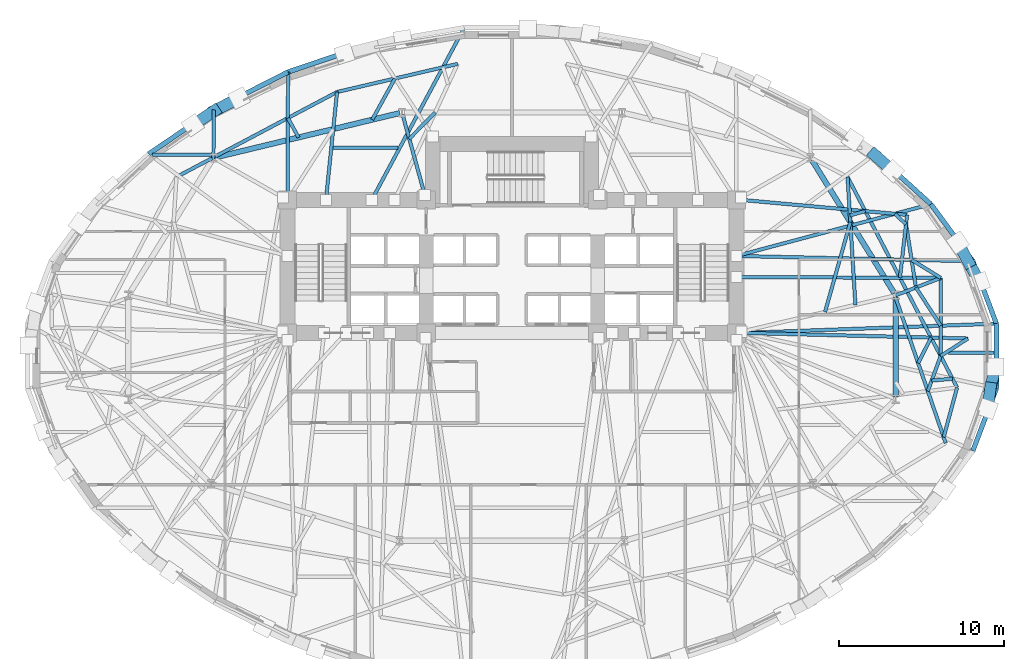
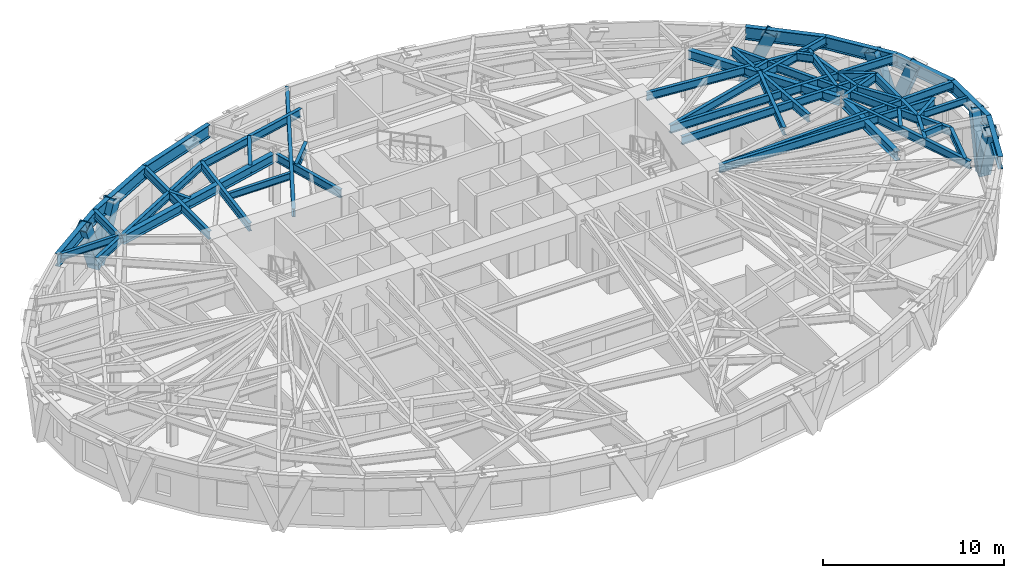
# One storey, part 4 of 14: 47 beams, 7 members.
"""IFC4 building model written with IfcOpenShell, lengths in metres."""

from ifc_helpers import new_model, si_unit, direction, frame, origin, origin_2d, place, context, subcontext, project, spatial, hollow_rectangle, i_section, extrude, material, material_profile, profile_set, type_object, element, save


model = new_model("IFC4")

# Units and contexts
model_context = context("Model", 3, precision=1e-05, world=origin(), true_north=direction((0.0, 1.0)))
body_context = subcontext(model_context, "Body", "Model", "MODEL_VIEW")
ifc_project = project(units=[si_unit("LENGTHUNIT", "METRE"), si_unit("AREAUNIT", "SQUARE_METRE"), si_unit("VOLUMEUNIT", "CUBIC_METRE"), si_unit("PLANEANGLEUNIT", "RADIAN"), si_unit("MASSUNIT", "GRAM", prefix="KILO")], contexts=[model_context])

# Site, building, storey
site_placement = place(None, origin())
site = spatial("IfcSite", under=ifc_project, at=site_placement, CompositionType="ELEMENT")
building_placement = place(site_placement, origin())
building = spatial("IfcBuilding", under=site, at=building_placement, Name="Keldmark Tower", CompositionType="ELEMENT")
storey_placement = place(building_placement, frame((0.0, 0.0, 59.39990234375)))
storey = spatial("IfcBuildingStorey", under=building, at=storey_placement, Name="L15", CompositionType="ELEMENT", Elevation=59.39990234375)

# Beams
ifc_material_1 = material(Name="Steel ASTM A992 Grade 50", Category="steel")
ifc_material_profile_1 = material_profile(ifc_material_1, i_section(OverallWidth=0.19091796875, OverallDepth=0.45703125, WebThickness=0.009033203125, FlangeThickness=0.014404296875, at=origin_2d()), Name="W18X50")
ifc_profile_set_1 = profile_set([ifc_material_profile_1], Name="Steel ASTM A992 Grade 50")
beam_type_1 = type_object("IfcBeamType", Name="Composite Floor Joist W18X50", PredefinedType="JOIST", material=ifc_profile_set_1)
beam_1_placement = place(storey_placement, frame((26.472412109375, 0.199951171875, 3.171630859375), z_axis=(1.0, 0.0, 0.0), x_axis=(0.0, 1.0, 0.0)))
element("IfcBeam", 1, at=beam_1_placement, inside=storey, type_object=beam_type_1, Name="L15 Composite Floor Joist J12", PredefinedType="JOIST", context=body_context, shape_type="SweptSolid", body=[
    extrude(i_section(OverallWidth=0.19091796875, OverallDepth=0.45703125, WebThickness=0.009033203125, FlangeThickness=0.014404296875, at=origin_2d()), origin(), (0.0, 0.0, 1.0), 2.751708984375),
])
beam_2_placement = place(storey_placement, frame((-21.781982421875, 12.199951171875, 3.171630859375), z_axis=(1.0, 0.0, 0.0), x_axis=(0.0, 1.0, 0.0)))
element("IfcBeam", 2, at=beam_2_placement, inside=storey, type_object=beam_type_1, Name="L15 Composite Floor Joist J15", PredefinedType="JOIST", context=body_context, shape_type="SweptSolid", body=[
    extrude(i_section(OverallWidth=0.19091796875, OverallDepth=0.45703125, WebThickness=0.009033203125, FlangeThickness=0.014404296875, at=origin_2d()), origin(), (0.0, 0.0, 1.0), 3.590087890625),
])
beam_3_placement = place(storey_placement, frame((-10.85546875, 12.6201171875, 3.171630859375), z_axis=(1.0, 0.0, 0.0), x_axis=(0.0, 1.0, 0.0)))
element("IfcBeam", 3, at=beam_3_placement, inside=storey, type_object=beam_type_1, Name="L15 Composite Floor Joist J16", PredefinedType="JOIST", context=body_context, shape_type="SweptSolid", body=[
    extrude(i_section(OverallWidth=0.19091796875, OverallDepth=0.45703125, WebThickness=0.009033203125, FlangeThickness=0.014404296875, at=origin_2d()), origin(), (0.0, 0.0, 1.0), 3.94091796875),
])

# Members
ifc_material_2 = material(Name="Steel ASTM A572 Grade 50", Category="steel")
ifc_material_profile_2 = material_profile(ifc_material_2, hollow_rectangle(XDim=0.699951171875, YDim=0.699951171875, WallThickness=0.054931640625, at=origin_2d()), Name="BOX700X700X55")
ifc_profile_set_2 = profile_set([ifc_material_profile_2], Name="Steel ASTM A572 Grade 50")
member_type = type_object("IfcMemberType", Name="Diagrid Zone 1 Brace BOX700X700X55", PredefinedType="BRACE", material=ifc_profile_set_2)
member_1_placement = place(storey_placement, frame((27.66845703125, 5.696533203125, -0.27978515625), z_axis=(0.178257638585, -0.318718528587, 0.930936471421), x_axis=(0.87276824672, 0.488134804656, 0.0)))
element("IfcMember", 4, at=member_1_placement, inside=storey, type_object=member_type, Name="L15 Perimeter Diagrid Brace 01A", PredefinedType="BRACE", context=body_context, shape_type="SweptSolid", body=[
    extrude(hollow_rectangle(XDim=0.699951171875, YDim=0.699951171875, WallThickness=0.054931640625, at=origin_2d()), origin(), (0.0, 0.0, 1.0), 3.823974609375),
])
member_2_placement = place(storey_placement, frame((27.670654296875, 5.68505859375, -0.27978515625), z_axis=(-0.168232250146, 0.313777179701, 0.934474072144), x_axis=(-0.8813193569, -0.472521101279, 0.0)))
element("IfcMember", 5, at=member_2_placement, inside=storey, type_object=member_type, Name="L15 Perimeter Diagrid Brace 01B", PredefinedType="BRACE", context=body_context, shape_type="SweptSolid", body=[
    extrude(hollow_rectangle(XDim=0.699951171875, YDim=0.699951171875, WallThickness=0.054931640625, at=origin_2d()), origin(), (0.0, 0.0, 1.0), 3.809326171875),
])
member_3_placement = place(storey_placement, frame((21.953369140625, 12.2158203125, -0.27978515625), z_axis=(0.293372462898, -0.260824582689, 0.919729925075), x_axis=(0.664433650917, 0.747347257658, 0.0)))
element("IfcMember", 6, at=member_3_placement, inside=storey, type_object=member_type, Name="L15 Perimeter Diagrid Brace 02A", PredefinedType="BRACE", context=body_context, shape_type="SweptSolid", body=[
    extrude(hollow_rectangle(XDim=0.699951171875, YDim=0.699951171875, WallThickness=0.054931640625, at=origin_2d()), origin(), (0.0, 0.0, 1.0), 3.87060546875),
])
member_4_placement = place(storey_placement, frame((-18.03173828125, 14.866455078125, -0.27978515625), z_axis=(0.378672479434, 0.195912137951, 0.904558227823), x_axis=(-0.459510002259, 0.888172594614, 0.0)))
element("IfcMember", 7, at=member_4_placement, inside=storey, type_object=member_type, Name="L15 Perimeter Diagrid Brace 06A", PredefinedType="BRACE", context=body_context, shape_type="SweptSolid", body=[
    extrude(hollow_rectangle(XDim=0.699951171875, YDim=0.699951171875, WallThickness=0.054931640625, at=origin_2d()), origin(), (0.0, 0.0, 1.0), 3.935302734375),
])
member_5_placement = place(storey_placement, frame((-18.02197265625, 14.873046875, -0.27978515625), z_axis=(-0.339507835658, -0.226818530074, 0.912845980405), x_axis=(0.555513758134, -0.831507344841, 0.0)))
element("IfcMember", 8, at=member_5_placement, inside=storey, type_object=member_type, Name="L15 Perimeter Diagrid Brace 06B", PredefinedType="BRACE", context=body_context, shape_type="SweptSolid", body=[
    extrude(hollow_rectangle(XDim=0.699951171875, YDim=0.699951171875, WallThickness=0.054931640625, at=origin_2d()), origin(), (0.0, 0.0, 1.0), 3.899658203125),
])
member_6_placement = place(storey_placement, frame((29.00048828125, -1.9228515625, -0.27978515625), z_axis=(-0.045507964239, -0.338473541384, 0.939874825162), x_axis=(0.991082244574, -0.133251583445, 0.0)))
element("IfcMember", 9, at=member_6_placement, inside=storey, type_object=member_type, Name="L15 Perimeter Diagrid Brace 16A", PredefinedType="BRACE", context=body_context, shape_type="SweptSolid", body=[
    extrude(hollow_rectangle(XDim=0.699951171875, YDim=0.699951171875, WallThickness=0.054931640625, at=origin_2d()), origin(), (0.0, 0.0, 1.0), 3.78759765625),
])
member_7_placement = place(storey_placement, frame((28.998291015625, -1.934326171875, -0.27978515625), z_axis=(0.079851814442, 0.338823721505, 0.937455158115), x_axis=(-0.973334750273, 0.229389328243, 0.0)))
element("IfcMember", 10, at=member_7_placement, inside=storey, type_object=member_type, Name="L15 Perimeter Diagrid Brace 16B", PredefinedType="BRACE", context=body_context, shape_type="SweptSolid", body=[
    extrude(hollow_rectangle(XDim=0.699951171875, YDim=0.699951171875, WallThickness=0.054931640625, at=origin_2d()), origin(), (0.0, 0.0, 1.0), 3.79736328125),
])

# Beams
ifc_material_3 = material(Name="Steel ASTM A992 Grade 50", Category="steel")
ifc_material_profile_3 = material_profile(ifc_material_3, i_section(OverallWidth=0.323974609375, OverallDepth=0.611083984375, WebThickness=0.0126953125, FlangeThickness=0.01904296875, at=origin_2d()), Name="W24X104")
ifc_profile_set_3 = profile_set([ifc_material_profile_3], Name="Steel ASTM A992 Grade 50")
beam_type_2 = type_object("IfcBeamType", Name="Primary Floor Girder W24X104", PredefinedType="BEAM", material=ifc_profile_set_3)
beam_4_placement = place(storey_placement, frame((23.180419921875, 3.796142578125, 3.094482421875), z_axis=(-0.526318405849, 0.850287560573, 0.0), x_axis=(-0.850287560573, -0.526318405849, 0.0)))
element("IfcBeam", 11, at=beam_4_placement, inside=storey, type_object=beam_type_2, Name="L15 Floor Ring Girder FG-R01", PredefinedType="BEAM", context=body_context, shape_type="SweptSolid", body=[
    extrude(i_section(OverallWidth=0.323974609375, OverallDepth=0.611083984375, WebThickness=0.0126953125, FlangeThickness=0.01904296875, at=origin_2d()), origin(), (0.0, 0.0, 1.0), 9.51708984375),
])
beam_5_placement = place(storey_placement, frame((-6.80126953125, 14.727294921875, 3.094482421875), z_axis=(-0.972218707757, -0.2340743136, 0.0), x_axis=(0.2340743136, -0.972218707757, 0.0)))
element("IfcBeam", 12, at=beam_5_placement, inside=storey, type_object=beam_type_2, Name="L15 Floor Ring Girder FG-R04", PredefinedType="BEAM", context=body_context, shape_type="SweptSolid", body=[
    extrude(i_section(OverallWidth=0.323974609375, OverallDepth=0.611083984375, WebThickness=0.0126953125, FlangeThickness=0.01904296875, at=origin_2d()), origin(), (0.0, 0.0, 1.0), 11.479248046875),
])
beam_6_placement = place(storey_placement, frame((23.25390625, -2.47314453125, 3.094482421875), z_axis=(0.0, 1.0, 0.0), x_axis=(-1.0, 0.0, 0.0)))
element("IfcBeam", 13, at=beam_6_placement, inside=storey, type_object=beam_type_2, Name="L15 Floor Ring Girder FG-R12", PredefinedType="BEAM", context=body_context, shape_type="SweptSolid", body=[
    extrude(i_section(OverallWidth=0.323974609375, OverallDepth=0.611083984375, WebThickness=0.0126953125, FlangeThickness=0.01904296875, at=origin_2d()), origin(), (0.0, 0.0, 1.0), 6.01025390625),
])
ifc_material_4 = material(Name="Steel ASTM A992 Grade 50", Category="steel")
ifc_material_profile_4 = material_profile(ifc_material_4, i_section(OverallWidth=0.2099609375, OverallDepth=0.537109375, WebThickness=0.010986328125, FlangeThickness=0.017333984375, at=origin_2d()), Name="W21X68")
ifc_profile_set_4 = profile_set([ifc_material_profile_4], Name="Steel ASTM A992 Grade 50")
beam_type_3 = type_object("IfcBeamType", Name="Radial Tie Girder W21X68", PredefinedType="BEAM", material=ifc_profile_set_4)
beam_7_placement = place(storey_placement, frame((18.974853515625, 2.66796875, 3.131591796875), z_axis=(0.270963018547, 0.962589758194, 0.0), x_axis=(-0.962589758194, 0.270963018547, 0.0)))
element("IfcBeam", 14, at=beam_7_placement, inside=storey, type_object=beam_type_3, Name="L15 Framing Pin Header PH-001", PredefinedType="BEAM", context=body_context, shape_type="SweptSolid", body=[
    extrude(i_section(OverallWidth=0.2099609375, OverallDepth=0.537109375, WebThickness=0.010986328125, FlangeThickness=0.017333984375, at=origin_2d()), origin(), (0.0, 0.0, 1.0), 5.657470703125),
])
beam_8_placement = place(storey_placement, frame((20.816162109375, 3.102294921875, 3.131591796875), z_axis=(-0.06139334626, 0.998113649358, 0.0), x_axis=(-0.998113649358, -0.06139334626, 0.0)))
element("IfcBeam", 15, at=beam_8_placement, inside=storey, type_object=beam_type_3, Name="L15 Sub-Ring Step Girder STP1-M01", PredefinedType="BEAM", context=body_context, shape_type="SweptSolid", body=[
    extrude(i_section(OverallWidth=0.2099609375, OverallDepth=0.537109375, WebThickness=0.010986328125, FlangeThickness=0.017333984375, at=origin_2d()), origin(), (0.0, 0.0, 1.0), 7.762451171875),
])
beam_9_placement = place(storey_placement, frame((-6.22509765625, 13.1650390625, 3.131591796875), z_axis=(0.6999653852, 0.7141767705, 0.0), x_axis=(-0.7141767705, 0.6999653852, 0.0)))
element("IfcBeam", 16, at=beam_9_placement, inside=storey, type_object=beam_type_3, Name="L15 Framing Pin Header PH-004", PredefinedType="BEAM", context=body_context, shape_type="SweptSolid", body=[
    extrude(i_section(OverallWidth=0.2099609375, OverallDepth=0.537109375, WebThickness=0.010986328125, FlangeThickness=0.017333984375, at=origin_2d()), origin(), (0.0, 0.0, 1.0), 2.2333984375),
])
beam_10_placement = place(storey_placement, frame((-11.278564453125, 9.449951171875, 3.131591796875), z_axis=(0.10246421602, 0.994736691007, 0.0), x_axis=(-0.994736691007, 0.10246421602, 0.0)))
element("IfcBeam", 17, at=beam_10_placement, inside=storey, type_object=beam_type_3, Name="L15 Sub-Ring Step Girder STP1-M05", PredefinedType="BEAM", context=body_context, shape_type="SweptSolid", body=[
    extrude(i_section(OverallWidth=0.2099609375, OverallDepth=0.537109375, WebThickness=0.010986328125, FlangeThickness=0.017333984375, at=origin_2d()), origin(), (0.0, 0.0, 1.0), 6.588134765625),
])
beam_11_placement = place(storey_placement, frame((-3.29736328125, 17.705810546875, 3.131591796875), z_axis=(-0.973911258142, -0.226929198791, 0.0), x_axis=(0.226929198791, -0.973911258142, 0.0)))
element("IfcBeam", 18, at=beam_11_placement, inside=storey, type_object=beam_type_3, Name="L15 Perimeter Collector Ring Beam CRG1-M04", PredefinedType="BEAM", context=body_context, shape_type="SweptSolid", body=[
    extrude(i_section(OverallWidth=0.2099609375, OverallDepth=0.537109375, WebThickness=0.010986328125, FlangeThickness=0.017333984375, at=origin_2d()), origin(), (0.0, 0.0, 1.0), 7.501953125),
])
beam_12_placement = place(storey_placement, frame((-10.603515625, 16.00341796875, 3.131591796875), z_axis=(-0.883828345093, -0.46781134703, 0.0), x_axis=(0.46781134703, -0.883828345093, 0.0)))
element("IfcBeam", 19, at=beam_12_placement, inside=storey, type_object=beam_type_3, Name="L15 Perimeter Collector Ring Beam CRG1-M05", PredefinedType="BEAM", context=body_context, shape_type="SweptSolid", body=[
    extrude(i_section(OverallWidth=0.2099609375, OverallDepth=0.537109375, WebThickness=0.010986328125, FlangeThickness=0.017333984375, at=origin_2d()), origin(), (0.0, 0.0, 1.0), 11.015869140625),
])
beam_13_placement = place(storey_placement, frame((26.9775390625, -1.91259765625, 3.131591796875), z_axis=(-0.461425941437, 0.887178730904, 0.0), x_axis=(-0.887178730904, -0.461425941437, 0.0)))
element("IfcBeam", 20, at=beam_13_placement, inside=storey, type_object=beam_type_3, Name="L15 Perimeter Collector Ring Beam CRG1-M12", PredefinedType="BEAM", context=body_context, shape_type="SweptSolid", body=[
    extrude(i_section(OverallWidth=0.2099609375, OverallDepth=0.537109375, WebThickness=0.010986328125, FlangeThickness=0.017333984375, at=origin_2d()), origin(), (0.0, 0.0, 1.0), 14.3857421875),
])
beam_14_placement = place(storey_placement, frame((20.482421875, 8.525634765625, 3.131591796875), z_axis=(0.964090741382, 0.265573045283, 0.0), x_axis=(-0.265573045283, 0.964090741382, 0.0)))
element("IfcBeam", 21, at=beam_14_placement, inside=storey, type_object=beam_type_3, Name="L15 Framing Pin Header PH-009", PredefinedType="BEAM", context=body_context, shape_type="SweptSolid", body=[
    extrude(i_section(OverallWidth=0.2099609375, OverallDepth=0.537109375, WebThickness=0.010986328125, FlangeThickness=0.017333984375, at=origin_2d()), origin(), (0.0, 0.0, 1.0), 0.967041015625),
])
beam_15_placement = place(storey_placement, frame((14.050048828125, 9.449951171875, 3.131591796875), z_axis=(0.995919539568, -0.090245613229, 0.0), x_axis=(0.090245613229, 0.995919539568, 0.0)))
element("IfcBeam", 22, at=beam_15_placement, inside=storey, type_object=beam_type_3, Name="L15 Sub-Ring Step Girder STP2-M01", PredefinedType="BEAM", context=body_context, shape_type="SweptSolid", body=[
    extrude(i_section(OverallWidth=0.2099609375, OverallDepth=0.537109375, WebThickness=0.010986328125, FlangeThickness=0.017333984375, at=origin_2d()), origin(), (0.0, 0.0, 1.0), 9.939208984375),
])
beam_16_placement = place(storey_placement, frame((25.98193359375, 0.001953125, 3.131591796875), z_axis=(-0.342486169453, -0.939522870256, 0.0), x_axis=(0.939522870256, -0.342486169453, 0.0)))
element("IfcBeam", 23, at=beam_16_placement, inside=storey, type_object=beam_type_3, Name="L15 Framing Pin Header PH-014", PredefinedType="BEAM", context=body_context, shape_type="SweptSolid", body=[
    extrude(i_section(OverallWidth=0.2099609375, OverallDepth=0.537109375, WebThickness=0.010986328125, FlangeThickness=0.017333984375, at=origin_2d()), origin(), (0.0, 0.0, 1.0), 2.268310546875),
])
beam_17_placement = place(storey_placement, frame((23.25390625, 3.537109375, 3.131591796875), z_axis=(0.325599745837, -0.945507697224, 0.0), x_axis=(0.945507697224, 0.325599745837, 0.0)))
element("IfcBeam", 24, at=beam_17_placement, inside=storey, type_object=beam_type_3, Name="L15 Sub-Ring Step Girder STP2-M12", PredefinedType="BEAM", context=body_context, shape_type="SweptSolid", body=[
    extrude(i_section(OverallWidth=0.2099609375, OverallDepth=0.537109375, WebThickness=0.010986328125, FlangeThickness=0.017333984375, at=origin_2d()), origin(), (0.0, 0.0, 1.0), 9.315673828125),
])
beam_18_placement = place(storey_placement, frame((24.618896484375, -0.426513671875, 3.131591796875), z_axis=(0.452792460426, 0.891615941861, 0.0), x_axis=(-0.891615941861, 0.452792460426, 0.0)))
element("IfcBeam", 25, at=beam_18_placement, inside=storey, type_object=beam_type_3, Name="L15 Framing Pin Header PH-015", PredefinedType="BEAM", context=body_context, shape_type="SweptSolid", body=[
    extrude(i_section(OverallWidth=0.2099609375, OverallDepth=0.537109375, WebThickness=0.010986328125, FlangeThickness=0.017333984375, at=origin_2d()), origin(), (0.0, 0.0, 1.0), 1.730224609375),
])
beam_19_placement = place(storey_placement, frame((14.050048828125, 1.39990234375, 3.131591796875), z_axis=(0.999687926981, -0.024980965726, 0.0), x_axis=(0.024980965726, 0.999687926981, 0.0)))
element("IfcBeam", 26, at=beam_19_placement, inside=storey, type_object=beam_type_3, Name="L15 Intermediate Radial Step Girder RT-01M", PredefinedType="BEAM", context=body_context, shape_type="SweptSolid", body=[
    extrude(i_section(OverallWidth=0.2099609375, OverallDepth=0.537109375, WebThickness=0.010986328125, FlangeThickness=0.017333984375, at=origin_2d()), origin(), (0.0, 0.0, 1.0), 13.58447265625),
])
beam_20_placement = place(storey_placement, frame((25.98193359375, 0.001953125, 3.131591796875), z_axis=(0.841437517417, 0.540354424692, 0.0), x_axis=(-0.540354424692, 0.841437517417, 0.0)))
element("IfcBeam", 27, at=beam_20_placement, inside=storey, type_object=beam_type_3, Name="L15 Local Collector Chord RT-01C", PredefinedType="BEAM", context=body_context, shape_type="SweptSolid", body=[
    extrude(i_section(OverallWidth=0.2099609375, OverallDepth=0.537109375, WebThickness=0.010986328125, FlangeThickness=0.017333984375, at=origin_2d()), origin(), (0.0, 0.0, 1.0), 1.958984375),
])
beam_21_placement = place(storey_placement, frame((23.94873046875, 8.552978515625, 3.131591796875), z_axis=(-0.113115472002, -0.993581848664, 0.0), x_axis=(0.993581848664, -0.113115472002, 0.0)))
element("IfcBeam", 28, at=beam_21_placement, inside=storey, type_object=beam_type_3, Name="L15 Framing Pin Header PH-016", PredefinedType="BEAM", context=body_context, shape_type="SweptSolid", body=[
    extrude(i_section(OverallWidth=0.2099609375, OverallDepth=0.537109375, WebThickness=0.010986328125, FlangeThickness=0.017333984375, at=origin_2d()), origin(), (0.0, 0.0, 1.0), 3.833251953125),
])
beam_22_placement = place(storey_placement, frame((13.60009765625, 4.78564453125, 3.131591796875), z_axis=(0.999991357146, -0.004157599534, 0.0), x_axis=(0.004157599534, 0.999991357146, 0.0)))
element("IfcBeam", 29, at=beam_22_placement, inside=storey, type_object=beam_type_3, Name="L15 Intermediate Radial Step Girder RT-02M", PredefinedType="BEAM", context=body_context, shape_type="SweptSolid", body=[
    extrude(i_section(OverallWidth=0.2099609375, OverallDepth=0.537109375, WebThickness=0.010986328125, FlangeThickness=0.017333984375, at=origin_2d()), origin(), (0.0, 0.0, 1.0), 12.39013671875),
])
beam_23_placement = place(storey_placement, frame((23.25390625, 3.67724609375, 3.131591796875), z_axis=(0.932836283827, 0.360300523973, 0.0), x_axis=(-0.360300523973, 0.932836283827, 0.0)))
element("IfcBeam", 30, at=beam_23_placement, inside=storey, type_object=beam_type_3, Name="L15 Local Collector Chord RT-02C", PredefinedType="BEAM", context=body_context, shape_type="SweptSolid", body=[
    extrude(i_section(OverallWidth=0.2099609375, OverallDepth=0.537109375, WebThickness=0.010986328125, FlangeThickness=0.017333984375, at=origin_2d()), origin(), (0.0, 0.0, 1.0), 2.933349609375),
])
beam_24_placement = place(storey_placement, frame((23.8837890625, 7.981689453125, 3.131591796875), z_axis=(-0.728261515383, 0.685299325267, 0.0), x_axis=(-0.685299325267, -0.728261515383, 0.0)))
element("IfcBeam", 31, at=beam_24_placement, inside=storey, type_object=beam_type_3, Name="L15 Framing Pin Header PH-017", PredefinedType="BEAM", context=body_context, shape_type="SweptSolid", body=[
    extrude(i_section(OverallWidth=0.2099609375, OverallDepth=0.537109375, WebThickness=0.010986328125, FlangeThickness=0.017333984375, at=origin_2d()), origin(), (0.0, 0.0, 1.0), 0.931884765625),
])
beam_25_placement = place(storey_placement, frame((13.60009765625, 6.064208984375, 3.131591796875), z_axis=(0.966364647714, 0.25717575245, 0.0), x_axis=(-0.25717575245, 0.966364647714, 0.0)))
element("IfcBeam", 32, at=beam_25_placement, inside=storey, type_object=beam_type_3, Name="L15 Perimeter Radial Tie Girder RT-03", PredefinedType="BEAM", context=body_context, shape_type="SweptSolid", body=[
    extrude(i_section(OverallWidth=0.2099609375, OverallDepth=0.537109375, WebThickness=0.010986328125, FlangeThickness=0.017333984375, at=origin_2d()), origin(), (0.0, 0.0, 1.0), 12.203369140625),
])
beam_26_placement = place(storey_placement, frame((-8.507080078125, 9.449951171875, 3.131591796875), z_axis=(0.473080222213, 0.881019354697, 0.0), x_axis=(-0.881019354697, 0.473080222213, 0.0)))
element("IfcBeam", 33, at=beam_26_placement, inside=storey, type_object=beam_type_3, Name="L15 Perimeter Radial Tie Girder RT-09", PredefinedType="BEAM", context=body_context, shape_type="SweptSolid", body=[
    extrude(i_section(OverallWidth=0.2099609375, OverallDepth=0.537109375, WebThickness=0.010986328125, FlangeThickness=0.017333984375, at=origin_2d()), origin(), (0.0, 0.0, 1.0), 11.86962890625),
])
beam_27_placement = place(storey_placement, frame((-8.475341796875, 14.32421875, 3.131591796875), z_axis=(0.484124100388, 0.874999345956, 0.0), x_axis=(-0.874999345956, 0.484124100388, 0.0)))
element("IfcBeam", 34, at=beam_27_placement, inside=storey, type_object=beam_type_3, Name="L15 Framing Pin Header PH-022", PredefinedType="BEAM", context=body_context, shape_type="SweptSolid", body=[
    extrude(i_section(OverallWidth=0.2099609375, OverallDepth=0.537109375, WebThickness=0.010986328125, FlangeThickness=0.017333984375, at=origin_2d()), origin(), (0.0, 0.0, 1.0), 2.853759765625),
])
beam_28_placement = place(storey_placement, frame((-12.939453125, 13.249267578125, 3.131591796875), z_axis=(-0.47988457193, 0.877331634916, 0.0), x_axis=(-0.877331634916, -0.47988457193, 0.0)))
element("IfcBeam", 35, at=beam_28_placement, inside=storey, type_object=beam_type_3, Name="L15 Framing Pin Header PH-023", PredefinedType="BEAM", context=body_context, shape_type="SweptSolid", body=[
    extrude(i_section(OverallWidth=0.2099609375, OverallDepth=0.537109375, WebThickness=0.010986328125, FlangeThickness=0.017333984375, at=origin_2d()), origin(), (0.0, 0.0, 1.0), 1.341552734375),
])
beam_29_placement = place(storey_placement, frame((-13.60009765625, 9.89990234375, 3.131591796875), z_axis=(0.003703678301, 0.99999314136, 0.0), x_axis=(-0.99999314136, 0.003703678301, 0.0)))
element("IfcBeam", 36, at=beam_29_placement, inside=storey, type_object=beam_type_3, Name="L15 Perimeter Radial Tie Girder RT-11", PredefinedType="BEAM", context=body_context, shape_type="SweptSolid", body=[
    extrude(i_section(OverallWidth=0.2099609375, OverallDepth=0.537109375, WebThickness=0.010986328125, FlangeThickness=0.017333984375, at=origin_2d()), origin(), (0.0, 0.0, 1.0), 7.31689453125),
])
beam_30_placement = place(storey_placement, frame((-18.09765625, 12.00732421875, 3.131591796875), z_axis=(0.010116539131, 0.999948826509, 0.0), x_axis=(-0.999948826509, 0.010116539131, 0.0)))
element("IfcBeam", 37, at=beam_30_placement, inside=storey, type_object=beam_type_3, Name="L15 Perimeter Column Bracket RT-12", PredefinedType="BEAM", context=body_context, shape_type="SweptSolid", body=[
    extrude(i_section(OverallWidth=0.2099609375, OverallDepth=0.537109375, WebThickness=0.010986328125, FlangeThickness=0.017333984375, at=origin_2d()), origin(), (0.0, 0.0, 1.0), 2.920166015625),
])
beam_31_placement = place(storey_placement, frame((26.9775390625, -1.91259765625, 3.131591796875), z_axis=(-0.260589128511, -0.965449794708, 0.0), x_axis=(0.965449794708, -0.260589128511, 0.0)))
element("IfcBeam", 38, at=beam_31_placement, inside=storey, type_object=beam_type_3, Name="L15 Framing Pin Header PH-044", PredefinedType="BEAM", context=body_context, shape_type="SweptSolid", body=[
    extrude(i_section(OverallWidth=0.2099609375, OverallDepth=0.537109375, WebThickness=0.010986328125, FlangeThickness=0.017333984375, at=origin_2d()), origin(), (0.0, 0.0, 1.0), 3.1142578125),
])
beam_32_placement = place(storey_placement, frame((25.43798828125, -1.48974609375, 3.131591796875), z_axis=(0.995970305309, 0.089683615796, 0.0), x_axis=(-0.089683615796, 0.995970305309, 0.0)))
element("IfcBeam", 39, at=beam_32_placement, inside=storey, type_object=beam_type_3, Name="L15 Framing Pin Header PH-045", PredefinedType="BEAM", context=body_context, shape_type="SweptSolid", body=[
    extrude(i_section(OverallWidth=0.2099609375, OverallDepth=0.537109375, WebThickness=0.010986328125, FlangeThickness=0.017333984375, at=origin_2d()), origin(), (0.0, 0.0, 1.0), 1.265869140625),
])
beam_33_placement = place(storey_placement, frame((25.98193359375, 0.001953125, 3.131591796875), z_axis=(0.001754111732, 0.999998461545, 0.0), x_axis=(-0.999998461545, 0.001754111732, 0.0)))
element("IfcBeam", 40, at=beam_33_placement, inside=storey, type_object=beam_type_3, Name="L15 Straddling Support Chord RT-01RB", PredefinedType="BEAM", context=body_context, shape_type="SweptSolid", body=[
    extrude(i_section(OverallWidth=0.2099609375, OverallDepth=0.537109375, WebThickness=0.010986328125, FlangeThickness=0.017333984375, at=origin_2d()), origin(), (0.0, 0.0, 1.0), 4.732177734375),
])
beam_34_placement = place(storey_placement, frame((24.4853515625, 4.15283203125, 3.131591796875), z_axis=(0.543603469802, -0.839342163613, 0.0), x_axis=(0.839342163613, 0.543603469802, 0.0)))
element("IfcBeam", 41, at=beam_34_placement, inside=storey, type_object=beam_type_3, Name="L15 Framing Pin Header PH-046", PredefinedType="BEAM", context=body_context, shape_type="SweptSolid", body=[
    extrude(i_section(OverallWidth=0.2099609375, OverallDepth=0.537109375, WebThickness=0.010986328125, FlangeThickness=0.017333984375, at=origin_2d()), origin(), (0.0, 0.0, 1.0), 2.759033203125),
])
beam_35_placement = place(storey_placement, frame((14.050048828125, 1.39990234375, 3.131591796875), z_axis=(0.999329920544, 0.036602047828, 0.0), x_axis=(-0.036602047828, 0.999329920544, 0.0)))
element("IfcBeam", 42, at=beam_35_placement, inside=storey, type_object=beam_type_3, Name="L15 Perimeter Radial Tie Girder RT-01R", PredefinedType="BEAM", context=body_context, shape_type="SweptSolid", body=[
    extrude(i_section(OverallWidth=0.2099609375, OverallDepth=0.537109375, WebThickness=0.010986328125, FlangeThickness=0.017333984375, at=origin_2d()), origin(), (0.0, 0.0, 1.0), 15.3212890625),
])
beam_36_placement = place(storey_placement, frame((24.4853515625, 4.15283203125, 3.131591796875), z_axis=(-0.155208853981, 0.987881678971, 0.0), x_axis=(-0.987881678971, -0.155208853981, 0.0)))
element("IfcBeam", 43, at=beam_36_placement, inside=storey, type_object=beam_type_3, Name="L15 Straddling Support Chord RT-02RB", PredefinedType="BEAM", context=body_context, shape_type="SweptSolid", body=[
    extrude(i_section(OverallWidth=0.2099609375, OverallDepth=0.537109375, WebThickness=0.010986328125, FlangeThickness=0.017333984375, at=origin_2d()), origin(), (0.0, 0.0, 1.0), 3.875732421875),
])
beam_37_placement = place(storey_placement, frame((25.990234375, 4.734130859375, 3.131591796875), z_axis=(-0.850430277287, 0.526087771644, 0.0), x_axis=(-0.526087771644, -0.850430277287, 0.0)))
element("IfcBeam", 44, at=beam_37_placement, inside=storey, type_object=beam_type_3, Name="L15 Framing Pin Header PH-047", PredefinedType="BEAM", context=body_context, shape_type="SweptSolid", body=[
    extrude(i_section(OverallWidth=0.2099609375, OverallDepth=0.537109375, WebThickness=0.010986328125, FlangeThickness=0.017333984375, at=origin_2d()), origin(), (0.0, 0.0, 1.0), 2.0791015625),
])
beam_38_placement = place(storey_placement, frame((13.60009765625, 6.064208984375, 3.131591796875), z_axis=(0.999752698535, -0.022238295169, 0.0), x_axis=(0.022238295169, 0.999752698535, 0.0)))
element("IfcBeam", 45, at=beam_38_placement, inside=storey, type_object=beam_type_3, Name="L15 Perimeter Radial Tie Girder RT-02R", PredefinedType="BEAM", context=body_context, shape_type="SweptSolid", body=[
    extrude(i_section(OverallWidth=0.2099609375, OverallDepth=0.537109375, WebThickness=0.010986328125, FlangeThickness=0.017333984375, at=origin_2d()), origin(), (0.0, 0.0, 1.0), 14.337890625),
])
ifc_material_5 = material(Name="Steel ASTM A992 Grade 50", Category="steel")
ifc_material_profile_5 = material_profile(ifc_material_5, i_section(OverallWidth=0.214111328125, OverallDepth=0.549072265625, WebThickness=0.0146484375, FlangeThickness=0.023681640625, at=origin_2d()), Name="W21X93")
ifc_profile_set_5 = profile_set([ifc_material_profile_5], Name="Steel ASTM A992 Grade 50")
beam_type_4 = type_object("IfcBeamType", Name="Radial Tie Girder W21X93", PredefinedType="BEAM", material=ifc_profile_set_5)
beam_39_placement = place(storey_placement, frame((-6.6279296875, 14.625, 3.12548828125), z_axis=(0.265984786353, -0.963977226613, 0.0), x_axis=(0.963977226613, 0.265984786353, 0.0)))
element("IfcBeam", 46, at=beam_39_placement, inside=storey, type_object=beam_type_4, Name="L15 Floor Radial Girder FG-C04", PredefinedType="BEAM", context=body_context, shape_type="SweptSolid", body=[
    extrude(i_section(OverallWidth=0.214111328125, OverallDepth=0.549072265625, WebThickness=0.0146484375, FlangeThickness=0.023681640625, at=origin_2d()), origin(), (0.0, 0.0, 1.0), 5.04833984375),
])
ifc_material_6 = material(Name="Steel ASTM A992 Grade 50", Category="steel")
ifc_material_profile_6 = material_profile(ifc_material_6, i_section(OverallWidth=0.2919921875, OverallDepth=0.85888671875, WebThickness=0.01708984375, FlangeThickness=0.031005859375, at=origin_2d()), Name="W33X169")
ifc_profile_set_6 = profile_set([ifc_material_profile_6], Name="Steel ASTM A992 Grade 50")
beam_type_5 = type_object("IfcBeamType", Name="Spandrel Ring Beam W33X169", PredefinedType="SPANDREL", material=ifc_profile_set_6)
beam_40_placement = place(storey_placement, frame((29.361083984375, 1.960693359375, 2.970703125), z_axis=(-0.352750180024, 0.935717537771, 0.0), x_axis=(-0.935717537771, -0.352750180024, 0.0)))
element("IfcBeam", 47, at=beam_40_placement, inside=storey, type_object=beam_type_5, Name="L15 Perimeter Spandrel Ring Beam SRB-01", PredefinedType="SPANDREL", context=body_context, shape_type="SweptSolid", body=[
    extrude(i_section(OverallWidth=0.2919921875, OverallDepth=0.85888671875, WebThickness=0.01708984375, FlangeThickness=0.031005859375, at=origin_2d()), origin(), (0.0, 0.0, 1.0), 4.044677734375),
])
beam_41_placement = place(storey_placement, frame((27.934326171875, 5.745361328125, 2.970703125), z_axis=(-0.592261182237, 0.80574604685, 0.0), x_axis=(-0.80574604685, -0.592261182237, 0.0)))
element("IfcBeam", 48, at=beam_41_placement, inside=storey, type_object=beam_type_5, Name="L15 Perimeter Spandrel Ring Beam SRB-02", PredefinedType="SPANDREL", context=body_context, shape_type="SweptSolid", body=[
    extrude(i_section(OverallWidth=0.2919921875, OverallDepth=0.85888671875, WebThickness=0.01708984375, FlangeThickness=0.031005859375, at=origin_2d()), origin(), (0.0, 0.0, 1.0), 4.290771484375),
])
beam_42_placement = place(storey_placement, frame((25.39306640625, 9.20263671875, 2.970703125), z_axis=(-0.742354052059, 0.670007806963, 0.0), x_axis=(-0.670007806963, -0.742354052059, 0.0)))
element("IfcBeam", 49, at=beam_42_placement, inside=storey, type_object=beam_type_5, Name="L15 Perimeter Spandrel Ring Beam SRB-03", PredefinedType="SPANDREL", context=body_context, shape_type="SweptSolid", body=[
    extrude(i_section(OverallWidth=0.2919921875, OverallDepth=0.85888671875, WebThickness=0.01708984375, FlangeThickness=0.031005859375, at=origin_2d()), origin(), (0.0, 0.0, 1.0), 4.549072265625),
])
beam_43_placement = place(storey_placement, frame((-8.473876953125, 18.939697265625, 2.970703125), z_axis=(-0.947382619443, -0.320103377641, 0.0), x_axis=(0.320103377641, -0.947382619443, 0.0)))
element("IfcBeam", 50, at=beam_43_placement, inside=storey, type_object=beam_type_5, Name="L15 Perimeter Spandrel Ring Beam SRB-10", PredefinedType="SPANDREL", context=body_context, shape_type="SweptSolid", body=[
    extrude(i_section(OverallWidth=0.2919921875, OverallDepth=0.85888671875, WebThickness=0.01708984375, FlangeThickness=0.031005859375, at=origin_2d()), origin(), (0.0, 0.0, 1.0), 5.38232421875),
])
beam_44_placement = place(storey_placement, frame((-13.572998046875, 17.216796875, 2.970703125), z_axis=(-0.891072734441, -0.45386053137, 0.0), x_axis=(0.45386053137, -0.891072734441, 0.0)))
element("IfcBeam", 51, at=beam_44_placement, inside=storey, type_object=beam_type_5, Name="L15 Perimeter Spandrel Ring Beam SRB-11", PredefinedType="SPANDREL", context=body_context, shape_type="SweptSolid", body=[
    extrude(i_section(OverallWidth=0.2919921875, OverallDepth=0.85888671875, WebThickness=0.01708984375, FlangeThickness=0.031005859375, at=origin_2d()), origin(), (0.0, 0.0, 1.0), 5.044677734375),
])
beam_45_placement = place(storey_placement, frame((-18.068115234375, 14.92724609375, 2.970703125), z_axis=(-0.827693991977, -0.561179699959, 0.0), x_axis=(0.561179699959, -0.827693991977, 0.0)))
element("IfcBeam", 52, at=beam_45_placement, inside=storey, type_object=beam_type_5, Name="L15 Perimeter Spandrel Ring Beam SRB-12", PredefinedType="SPANDREL", context=body_context, shape_type="SweptSolid", body=[
    extrude(i_section(OverallWidth=0.2919921875, OverallDepth=0.85888671875, WebThickness=0.01708984375, FlangeThickness=0.031005859375, at=origin_2d()), origin(), (0.0, 0.0, 1.0), 4.769775390625),
])
beam_46_placement = place(storey_placement, frame((27.934326171875, -5.745361328125, 2.970703125), z_axis=(0.352750180024, 0.935717537771, 0.0), x_axis=(-0.935717537771, 0.352750180024, 0.0)))
element("IfcBeam", 53, at=beam_46_placement, inside=storey, type_object=beam_type_5, Name="L15 Perimeter Spandrel Ring Beam SRB-31", PredefinedType="SPANDREL", context=body_context, shape_type="SweptSolid", body=[
    extrude(i_section(OverallWidth=0.2919921875, OverallDepth=0.85888671875, WebThickness=0.01708984375, FlangeThickness=0.031005859375, at=origin_2d()), origin(), (0.0, 0.0, 1.0), 4.044677734375),
])
beam_47_placement = place(storey_placement, frame((29.361083984375, -1.960693359375, 2.970703125), z_axis=(0.0, 1.0, 0.0), x_axis=(-1.0, 0.0, 0.0)))
element("IfcBeam", 54, at=beam_47_placement, inside=storey, type_object=beam_type_5, Name="L15 Perimeter Spandrel Ring Beam SRB-32", PredefinedType="SPANDREL", context=body_context, shape_type="SweptSolid", body=[
    extrude(i_section(OverallWidth=0.2919921875, OverallDepth=0.85888671875, WebThickness=0.01708984375, FlangeThickness=0.031005859375, at=origin_2d()), origin(), (0.0, 0.0, 1.0), 3.92138671875),
])

save(model, "model.ifc")
